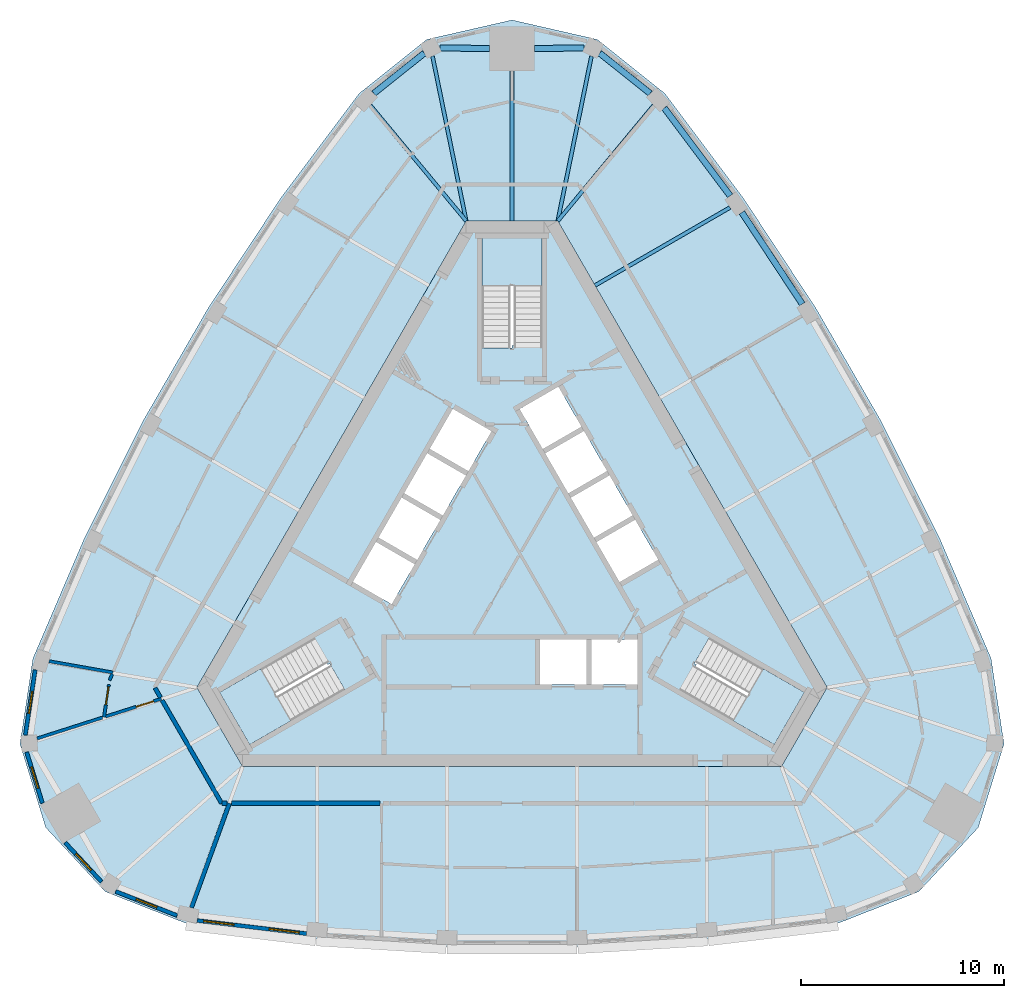
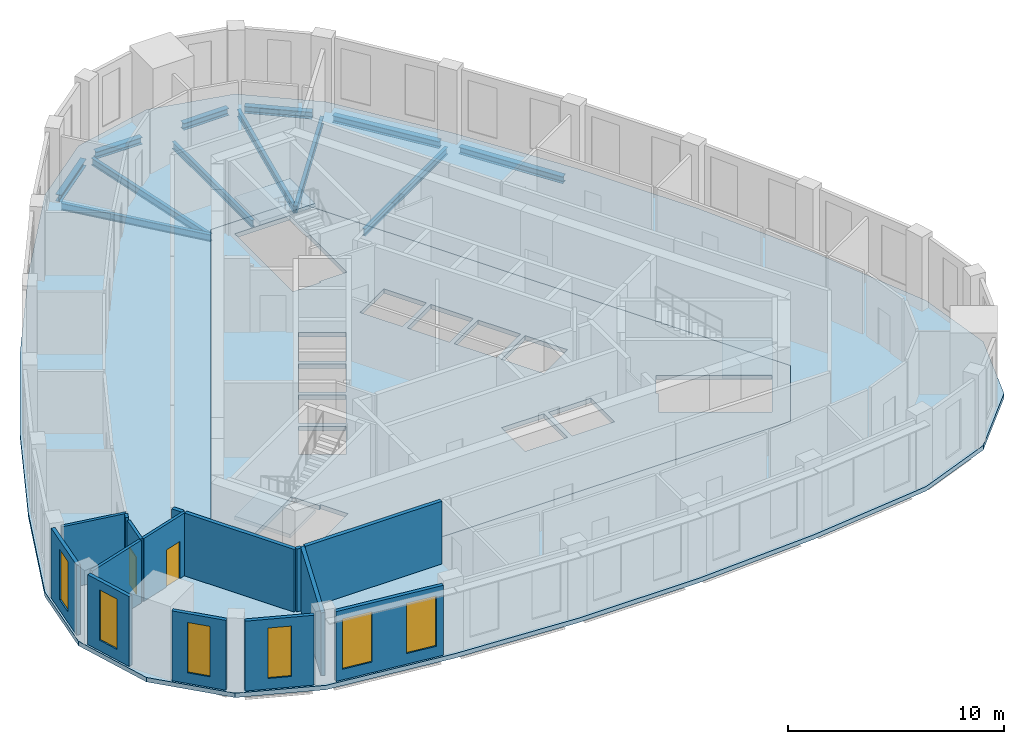
# One storey, part 2 of 10: 15 walls, 12 beams, 6 windows, 5 slabs, 2 doors, 8 openings, 3 elements without a shape of their own.
"""IFC4 building model written with IfcOpenShell, lengths in metres."""

import ifcopenshell
import ifcopenshell.guid

model = None  # the IFC model being written
_history = None  # IfcOwnerHistory: only IFC2X3 demands one
_inside = {}  # id of a spatial element -> (the spatial element, [elements in it])
_under = {}  # id of a project, library or spatial element -> (it, [spatial elements below it])
_declared = {}  # id of a project -> (the project, [libraries it declares])
_typed = {}  # id of a type object -> (the type object, [elements of that type])
_made_of = {}  # id of a material, layer set ... -> (it, [elements and type objects made of it])


def new_model(schema):
    """Start an empty IFC model of exactly this schema.

    Asked for "IFC4X3", IfcOpenShell would pick the latest addendum, in which some entities
    have other attributes; the version numbers below select the first issue.
    IFC2X3 requires an IfcOwnerHistory on every rooted entity: one is made here for all.
    """
    global model, _history
    if schema == "IFC4X3":
        model = ifcopenshell.file(schema_version=(4, 3, 0, 0))
    else:
        model = ifcopenshell.file(schema=schema)
    _inside.clear()
    _under.clear()
    _declared.clear()
    _typed.clear()
    _made_of.clear()
    _history = None
    if model.schema == "IFC2X3":
        org = make("IfcOrganization", Name="unknown")
        user = make(
            "IfcPersonAndOrganization",
            ThePerson=make("IfcPerson", FamilyName="unknown"),
            TheOrganization=org,
        )
        app = make(
            "IfcApplication",
            ApplicationDeveloper=org,
            Version="unknown",
            ApplicationFullName="unknown",
            ApplicationIdentifier="unknown",
        )
        _history = make(
            "IfcOwnerHistory",
            OwningUser=user,
            OwningApplication=app,
            ChangeAction="ADDED",
            CreationDate=0,
        )
    return model


def make(cls, **values):
    """One entity of the class cls with the attributes given. An attribute that is None is left unset."""
    return model.create_entity(
        cls, **{name: value for name, value in values.items() if value is not None}
    )


def rooted(cls, **values):
    """An entity with a GlobalId (a new one), such as an element, a storey or a relation."""
    return make(cls, GlobalId=ifcopenshell.guid.new(), OwnerHistory=_history, **values)


def si_unit(unit_type, name, prefix=None):
    """IfcSIUnit, for example si_unit("LENGTHUNIT", "METRE", prefix="MILLI")."""
    return make("IfcSIUnit", UnitType=unit_type, Prefix=prefix, Name=name)


def assignment(units):
    """IfcUnitAssignment: the units of a project."""
    return None if units is None else make("IfcUnitAssignment", Units=units)


def point(xyz):
    """IfcCartesianPoint."""
    return None if xyz is None else make("IfcCartesianPoint", Coordinates=xyz)


def direction(xyz):
    """IfcDirection."""
    return None if xyz is None else make("IfcDirection", DirectionRatios=xyz)


def frame(location, z_axis=None, x_axis=None):
    """IfcAxis2Placement3D, a coordinate frame: its origin and axes. An axis left out is left unset."""
    return make(
        "IfcAxis2Placement3D",
        Location=point(location),
        Axis=direction(z_axis),
        RefDirection=direction(x_axis),
    )


def frame_2d(location, x_axis=None):
    """IfcAxis2Placement2D, a coordinate frame in the plane: its origin and x axis."""
    return make(
        "IfcAxis2Placement2D", Location=point(location), RefDirection=direction(x_axis)
    )


def origin():
    """The frame at (0, 0, 0) with its axes left unset."""
    return frame((0.0, 0.0, 0.0))


def origin_2d():
    """The frame at (0, 0) in the plane with its x axis left unset."""
    return frame_2d((0.0, 0.0))


def place(relative_to, where):
    """IfcLocalPlacement: puts the frame where relative to a parent placement (None: the world)."""
    return make(
        "IfcLocalPlacement", PlacementRelTo=relative_to, RelativePlacement=where
    )


def context(
    kind, dimensions, precision=None, world=None, true_north=None, identifier=None
):
    """IfcGeometricRepresentationContext, for example the 3D "Model" context."""
    return make(
        "IfcGeometricRepresentationContext",
        ContextIdentifier=identifier,
        ContextType=kind,
        CoordinateSpaceDimension=dimensions,
        Precision=precision,
        WorldCoordinateSystem=world,
        TrueNorth=true_north,
    )


def subcontext(parent, identifier, kind, view, scale=None):
    """IfcGeometricRepresentationSubContext, for example "Body" below "Model"."""
    return make(
        "IfcGeometricRepresentationSubContext",
        ContextIdentifier=identifier,
        ContextType=kind,
        ParentContext=parent,
        TargetScale=scale,
        TargetView=view,
    )


def project(units=None, contexts=None):
    """IfcProject with its units and contexts."""
    return rooted(
        "IfcProject",
        Name="project",
        RepresentationContexts=contexts,
        UnitsInContext=assignment(units),
    )


def spatial(cls, under=None, at=None, **own):
    """A site, building, storey or space (cls), placed at a placement, below another one or the project."""
    s = rooted(cls, ObjectPlacement=at, **own)
    if under is not None:
        _under.setdefault(under.id(), (under, []))[1].append(s)
    return s


def polyline(points):
    """IfcPolyline through the points."""
    return make("IfcPolyline", Points=[point(p) for p in points])


def profile(cls, at=None, kind="AREA", **sizes):
    """A parametric profile (cls). Its sizes go by their IFC names, for example OverallWidth=200.0."""
    return make(cls, ProfileType=kind, Position=at, **sizes)


def rectangle(**sizes):
    """IfcRectangleProfileDef."""
    return profile("IfcRectangleProfileDef", **sizes)


def i_section(**sizes):
    """IfcIShapeProfileDef."""
    return profile("IfcIShapeProfileDef", **sizes)


def outline(outer, holes=None, kind="AREA"):
    """IfcArbitraryClosedProfileDef: a profile drawn as a closed curve; with holes, ...WithVoids."""
    if holes is None:
        return make("IfcArbitraryClosedProfileDef", ProfileType=kind, OuterCurve=outer)
    return make(
        "IfcArbitraryProfileDefWithVoids",
        ProfileType=kind,
        OuterCurve=outer,
        InnerCurves=holes,
    )


def extrude(swept, where, along, depth):
    """IfcExtrudedAreaSolid: the profile swept, set in the frame where, extruded along a direction by depth."""
    return make(
        "IfcExtrudedAreaSolid",
        SweptArea=swept,
        Position=where,
        ExtrudedDirection=direction(along),
        Depth=depth,
    )


def shape(context_of_items, identifier, shape_type, items):
    """IfcShapeRepresentation: the items that make up one representation, for example the "Body"."""
    return make(
        "IfcShapeRepresentation",
        ContextOfItems=context_of_items,
        RepresentationIdentifier=identifier,
        RepresentationType=shape_type,
        Items=items,
    )


def material(Name=None, Category=None):
    """IfcMaterial."""
    return make("IfcMaterial", Name=Name, Category=Category)


def layer(
    of_material, thickness, ventilated=None, Name=None, Category=None, Priority=None
):
    """IfcMaterialLayer: one layer of a wall or slab, of a material (None: an air gap)."""
    return make(
        "IfcMaterialLayer",
        Material=of_material,
        LayerThickness=thickness,
        IsVentilated=ventilated,
        Name=Name,
        Category=Category,
        Priority=Priority,
    )


def layer_set(layers, Name=None):
    """IfcMaterialLayerSet."""
    return make("IfcMaterialLayerSet", MaterialLayers=layers, LayerSetName=Name)


def material_profile(
    of_material, cross_section, Name=None, Category=None, Priority=None
):
    """IfcMaterialProfile: a cross section and its material."""
    return make(
        "IfcMaterialProfile",
        Name=Name,
        Material=of_material,
        Profile=cross_section,
        Priority=Priority,
        Category=Category,
    )


def profile_set(profiles, Name=None, composite=None):
    """IfcMaterialProfileSet."""
    return make(
        "IfcMaterialProfileSet",
        Name=Name,
        MaterialProfiles=profiles,
        CompositeProfile=composite,
    )


def made_of(thing, what):
    """Note that an element or type object is made of a material, layer set ...; save() writes the relation."""
    if what is not None:
        _made_of.setdefault(what.id(), (what, []))[1].append(thing)
    return thing


def type_object(cls, material=None, **own):
    """A type object (cls), such as IfcWallType, which elements share."""
    return made_of(rooted(cls, **own), material)


def element(
    cls,
    number,
    at=None,
    inside=None,
    cuts=None,
    type_object=None,
    material=None,
    context=None,
    identifier="Body",
    shape_type=None,
    held_by="IfcProductDefinitionShape",
    body=None,
    shapes=None,
    **own,
):
    """One element of the class cls, such as IfcWall. Its Tag is "e" and its number.

    at: its placement. inside: the storey or other place that contains it. cuts: it is an
    opening in that element (IfcRelVoidsElement). A single representation is given by context,
    identifier, shape_type and body (its items); several are given by shapes. held_by: the class
    of the entity that holds the representations. save() writes the other relations.
    """
    e = rooted(cls, Tag="e%d" % number, ObjectPlacement=at, **own)
    if body is not None:
        shapes = [shape(context, identifier, shape_type, body)]
    if shapes is not None:
        e.Representation = make(held_by, Representations=shapes)
    if inside is not None:
        _inside.setdefault(inside.id(), (inside, []))[1].append(e)
    if cuts is not None:
        rooted(
            "IfcRelVoidsElement", RelatingBuildingElement=cuts, RelatedOpeningElement=e
        )
    if type_object is not None:
        _typed.setdefault(type_object.id(), (type_object, []))[1].append(e)
    return made_of(e, material)


def fill(opening, filler):
    """IfcRelFillsElement: the door or window that sits in an opening."""
    return rooted(
        "IfcRelFillsElement",
        RelatingOpeningElement=opening,
        RelatedBuildingElement=filler,
    )


def aggregate(whole, parts):
    """IfcRelAggregates: a whole, such as a stair, and the parts it consists of."""
    return rooted("IfcRelAggregates", RelatingObject=whole, RelatedObjects=parts)


def save(model, path):
    """Write the relations noted so far, then the file.

    IfcRelAggregates (storeys below a building ...), IfcRelContainedInSpatialStructure (elements
    in a storey), IfcRelDefinesByType, IfcRelAssociatesMaterial and IfcRelDeclares: one each for
    every whole, place, type object, material and project.
    """
    for whole, parts in _under.values():
        aggregate(whole, parts)
    for where, things in _inside.values():
        rooted(
            "IfcRelContainedInSpatialStructure",
            RelatedElements=things,
            RelatingStructure=where,
        )
    for kind, things in _typed.values():
        rooted("IfcRelDefinesByType", RelatedObjects=things, RelatingType=kind)
    for what, things in _made_of.values():
        rooted("IfcRelAssociatesMaterial", RelatedObjects=things, RelatingMaterial=what)
    for by, libraries in _declared.values():
        rooted("IfcRelDeclares", RelatingContext=by, RelatedDefinitions=libraries)
    model.write(path)


model = new_model("IFC4")

# Units and contexts
model_context = context("Model", 3, precision=1e-05, world=origin(), true_north=direction((0.0, 1.0)))
body_context = subcontext(model_context, "Body", "Model", "MODEL_VIEW")
ifc_project = project(units=[si_unit("LENGTHUNIT", "METRE"), si_unit("AREAUNIT", "SQUARE_METRE"), si_unit("VOLUMEUNIT", "CUBIC_METRE"), si_unit("PLANEANGLEUNIT", "RADIAN"), si_unit("MASSUNIT", "GRAM", prefix="KILO")], contexts=[model_context])

# Site, building, storey
site_placement = place(None, origin())
site = spatial("IfcSite", under=ifc_project, at=site_placement, CompositionType="ELEMENT")
building_placement = place(site_placement, origin())
building = spatial("IfcBuilding", under=site, at=building_placement, Name="Mestral Congress Tower", CompositionType="ELEMENT")
storey_placement = place(building_placement, frame((0.0, 0.0, 279.60009765625)))
storey = spatial("IfcBuildingStorey", under=building, at=storey_placement, Name="L65", CompositionType="ELEMENT", Elevation=279.60009765625)

# Beams
ifc_material_1 = material(Name="Steel S355", Category="steel")
ifc_material_profile_1 = material_profile(ifc_material_1, i_section(OverallWidth=0.179931640625, OverallDepth=0.39990234375, WebThickness=0.008544921875, FlangeThickness=0.013427734375, FilletRadius=0.02099609375, at=origin_2d()), Name="IPE 400")
ifc_profile_set_1 = profile_set([ifc_material_profile_1], Name="Steel S355")
beam_type_1 = type_object("IfcBeamType", Name="Floor beam IPE 400 S355", PredefinedType="BEAM", material=ifc_profile_set_1)
beam_1_placement = place(storey_placement, frame((10.7275390625, 17.263916015625, -0.4501953125), z_axis=(-0.866019720907, -0.500009842903, 0.0), x_axis=(0.500009842903, -0.866019720907, 0.0)))
element("IfcBeam", 1, at=beam_1_placement, inside=storey, type_object=beam_type_1, Name="BM-L65-RB5-E04", PredefinedType="BEAM", context=body_context, shape_type="SweptSolid", body=[
    extrude(i_section(OverallWidth=0.179931640625, OverallDepth=0.39990234375, WebThickness=0.008544921875, FlangeThickness=0.013427734375, FilletRadius=0.02099609375, at=origin_2d()), origin(), (0.0, 0.0, 1.0), 7.672119140625),
])
beam_2_placement = place(storey_placement, frame((6.969970703125, 22.2890625, -0.4501953125), z_axis=(-0.638382651591, -0.769719163168, 0.0), x_axis=(0.769719163168, -0.638382651591, 0.0)))
element("IfcBeam", 2, at=beam_2_placement, inside=storey, type_object=beam_type_1, Name="BM-L65-RB5-E05", PredefinedType="BEAM", context=body_context, shape_type="SweptSolid", body=[
    extrude(i_section(OverallWidth=0.179931640625, OverallDepth=0.39990234375, WebThickness=0.008544921875, FlangeThickness=0.013427734375, FilletRadius=0.02099609375, at=origin_2d()), origin(), (0.0, 0.0, 1.0), 7.390869140625),
])
beam_3_placement = place(storey_placement, frame((3.910888671875, 24.7119140625, -0.4501953125), z_axis=(-0.200389803804, -0.979716247967, 0.0), x_axis=(0.979716247967, -0.200389803804, 0.0)))
element("IfcBeam", 3, at=beam_3_placement, inside=storey, type_object=beam_type_1, Name="BM-L65-RB5-N1", PredefinedType="BEAM", context=body_context, shape_type="SweptSolid", body=[
    extrude(i_section(OverallWidth=0.179931640625, OverallDepth=0.39990234375, WebThickness=0.008544921875, FlangeThickness=0.013427734375, FilletRadius=0.02099609375, at=origin_2d()), origin(), (0.0, 0.0, 1.0), 8.27978515625),
])
beam_4_placement = place(storey_placement, frame((0.0, 23.97802734375, -0.4501953125), z_axis=(0.0, -1.0, 0.0), x_axis=(1.0, 0.0, 0.0)))
element("IfcBeam", 4, at=beam_4_placement, inside=storey, type_object=beam_type_1, Name="BM-L65-RB5-N", PredefinedType="BEAM", context=body_context, shape_type="SweptSolid", body=[
    extrude(i_section(OverallWidth=0.179931640625, OverallDepth=0.39990234375, WebThickness=0.008544921875, FlangeThickness=0.013427734375, FilletRadius=0.02099609375, at=origin_2d()), origin(), (0.0, 0.0, 1.0), 7.3779296875),
])
beam_5_placement = place(storey_placement, frame((-3.910888671875, 24.7119140625, -0.4501953125), z_axis=(0.200389803804, -0.979716247967, 0.0), x_axis=(0.979716247967, 0.200389803804, 0.0)))
element("IfcBeam", 5, at=beam_5_placement, inside=storey, type_object=beam_type_1, Name="BM-L65-RB5-N3", PredefinedType="BEAM", context=body_context, shape_type="SweptSolid", body=[
    extrude(i_section(OverallWidth=0.179931640625, OverallDepth=0.39990234375, WebThickness=0.008544921875, FlangeThickness=0.013427734375, FilletRadius=0.02099609375, at=origin_2d()), origin(), (0.0, 0.0, 1.0), 8.27978515625),
])
beam_6_placement = place(storey_placement, frame((-6.969970703125, 22.2890625, -0.4501953125), z_axis=(0.638382651591, -0.769719163168, 0.0), x_axis=(0.769719163168, 0.638382651591, 0.0)))
element("IfcBeam", 6, at=beam_6_placement, inside=storey, type_object=beam_type_1, Name="BM-L65-RB5-W00", PredefinedType="BEAM", context=body_context, shape_type="SweptSolid", body=[
    extrude(i_section(OverallWidth=0.179931640625, OverallDepth=0.39990234375, WebThickness=0.008544921875, FlangeThickness=0.013427734375, FilletRadius=0.02099609375, at=origin_2d()), origin(), (0.0, 0.0, 1.0), 7.390869140625),
])
ifc_material_profile_2 = material_profile(ifc_material_1, i_section(OverallWidth=0.300048828125, OverallDepth=0.389892578125, WebThickness=0.010986328125, FlangeThickness=0.01904296875, FilletRadius=0.027099609375, at=origin_2d()), Name="HEA 400")
ifc_profile_set_2 = profile_set([ifc_material_profile_2], Name="Steel S355")
beam_type_2 = type_object("IfcBeamType", Name="Spandrel beam HEA 400 S355", PredefinedType="BEAM", material=ifc_profile_set_2)
beam_7_placement = place(storey_placement, frame((14.280517578125, 12.51611328125, -0.445068359375), z_axis=(-0.550748957655, 0.83467094453, 0.0), x_axis=(-0.83467094453, -0.550748957655, 0.0)))
element("IfcBeam", 7, at=beam_7_placement, inside=storey, type_object=beam_type_2, Name="SP-L65-SB5-E03", PredefinedType="BEAM", context=body_context, shape_type="SweptSolid", body=[
    extrude(i_section(OverallWidth=0.300048828125, OverallDepth=0.389892578125, WebThickness=0.010986328125, FlangeThickness=0.01904296875, FilletRadius=0.027099609375, at=origin_2d()), origin(), (0.0, 0.0, 1.0), 5.3984375),
])
beam_8_placement = place(storey_placement, frame((10.73193359375, 17.83984375, -0.445068359375), z_axis=(-0.599529393236, 0.800352738888, 0.0), x_axis=(-0.800352738888, -0.599529393236, 0.0)))
element("IfcBeam", 8, at=beam_8_placement, inside=storey, type_object=beam_type_2, Name="SP-L65-SB5-E04", PredefinedType="BEAM", context=body_context, shape_type="SweptSolid", body=[
    extrude(i_section(OverallWidth=0.300048828125, OverallDepth=0.389892578125, WebThickness=0.010986328125, FlangeThickness=0.01904296875, FilletRadius=0.027099609375, at=origin_2d()), origin(), (0.0, 0.0, 1.0), 5.396484375),
])
beam_9_placement = place(storey_placement, frame((6.7998046875, 22.876708984375, -0.445068359375), z_axis=(-0.781647188603, 0.623720829016, 0.0), x_axis=(-0.623720829016, -0.781647188603, 0.0)))
element("IfcBeam", 9, at=beam_9_placement, inside=storey, type_object=beam_type_2, Name="SP-L65-SB5-E05", PredefinedType="BEAM", context=body_context, shape_type="SweptSolid", body=[
    extrude(i_section(OverallWidth=0.300048828125, OverallDepth=0.389892578125, WebThickness=0.010986328125, FlangeThickness=0.01904296875, FilletRadius=0.027099609375, at=origin_2d()), origin(), (0.0, 0.0, 1.0), 3.179931640625),
])
for number, where, z_axis, x_axis, name in (
    (10, (3.54736328125, 25.11181640625, -0.445068359375), (-0.999955093848, -0.009476829002, 0.0), (0.009476829002, -0.999955093848, 0.0), "SP-L65-SB5-N1"),
    (11, (-1.10009765625, 25.088623046875, -0.445068359375), (-0.999955093848, 0.009476829002, 0.0), (-0.009476829002, -0.999955093848, 0.0), "SP-L65-SB5-N"),
):
    element("IfcBeam", number, at=place(storey_placement, frame(where, z_axis=z_axis, x_axis=x_axis)), inside=storey, type_object=beam_type_2, Name=name, PredefinedType="BEAM", context=body_context, shape_type="SweptSolid", body=[
        extrude(i_section(OverallWidth=0.300048828125, OverallDepth=0.389892578125, WebThickness=0.010986328125, FlangeThickness=0.01904296875, FilletRadius=0.027099609375, at=origin_2d()), origin(), (0.0, 0.0, 1.0), 2.447265625),
    ])
beam_10_placement = place(storey_placement, frame((-4.314208984375, 24.860107421875, -0.445068359375), z_axis=(-0.781647188603, -0.623720829016, 0.0), x_axis=(0.623720829016, -0.781647188603, 0.0)))
element("IfcBeam", 12, at=beam_10_placement, inside=storey, type_object=beam_type_2, Name="SP-L65-SB5-N3", PredefinedType="BEAM", context=body_context, shape_type="SweptSolid", body=[
    extrude(i_section(OverallWidth=0.300048828125, OverallDepth=0.389892578125, WebThickness=0.010986328125, FlangeThickness=0.01904296875, FilletRadius=0.027099609375, at=origin_2d()), origin(), (0.0, 0.0, 1.0), 3.179931640625),
])

# Slabs
ifc_material_2 = material(Name="Concrete C35/45", Category="concrete")
ifc_layer_1 = layer(ifc_material_2, 0.25)
ifc_layer_set_1 = layer_set([ifc_layer_1], Name="Concrete C35/45")
slab_type_1 = type_object("IfcSlabType", Name="Composite floor slab 250", PredefinedType="FLOOR", material=ifc_layer_set_1)
placement_1 = place(storey_placement, frame((0.0, 0.0, -0.25)))
element("IfcSlab", 13, at=placement_1, inside=storey, type_object=slab_type_1, Name="SL-L65", PredefinedType="FLOOR", context=body_context, shape_type="SweptSolid", body=[
    extrude(outline(polyline([(-16.051513671875, -17.951904296875), (-20.014404296875, -16.39794921875), (-22.940673828125, -13.244873046875), (-24.208251953125, -9.1337890625), (-23.572509765625, -4.925048828125), (-21.027587890625, 1.0234375), (-18.152099609375, 6.77001953125), (-14.939208984375, 12.335205078125), (-11.400146484375, 17.698486328125), (-7.52099609375, 22.876953125), (-4.19384765625, 25.531982421875), (0.0, 26.48974609375), (4.19384765625, 25.531982421875), (7.52099609375, 22.876953125), (11.400146484375, 17.698486328125), (14.939208984375, 12.335205078125), (18.152099609375, 6.77001953125), (21.027587890625, 1.0234375), (23.572509765625, -4.925048828125), (24.208251953125, -9.1337890625), (22.940673828125, -13.244873046875), (20.014404296875, -16.39794921875), (16.051513671875, -17.951904296875), (9.62744140625, -18.72216796875), (3.212890625, -19.105224609375), (-3.212890625, -19.105224609375), (-9.62744140625, -18.72216796875), (-16.051513671875, -17.951904296875)]), holes=[polyline([(-2.251708984375, 16.60009765625), (-15.501953125, -6.35009765625), (-13.250244140625, -10.25), (13.250244140625, -10.25), (15.501953125, -6.35009765625), (2.251708984375, 16.60009765625), (-2.251708984375, 16.60009765625)])]), origin(), (0.0, 0.0, 1.0), 0.25),
])
ifc_material_3 = material(Name="Concrete C60/75", Category="concrete")
ifc_layer_2 = layer(ifc_material_3, 0.25)
ifc_layer_set_2 = layer_set([ifc_layer_2], Name="Concrete C60/75")
slab_type_2 = type_object("IfcSlabType", Name="Core floor slab RC 250", PredefinedType="FLOOR", material=ifc_layer_set_2)
element("IfcSlab", 14, at=placement_1, inside=storey, type_object=slab_type_2, Name="L65 core floor", PredefinedType="FLOOR", context=body_context, shape_type="SweptSolid", body=[
    extrude(outline(polyline([(13.250244140625, -10.25), (-13.250244140625, -10.25), (-15.501953125, -6.35009765625), (-2.251708984375, 16.60009765625), (2.251708984375, 16.60009765625), (15.501953125, -6.35009765625), (13.250244140625, -10.25)]), holes=[polyline([(-14.37744140625, -6.59765625), (-12.90234375, -9.15234375), (-8.234619140625, -6.45751953125), (-8.971923828125, -5.179931640625), (-9.0673828125, -5.235107421875), (-9.8046875, -3.95751953125), (-14.37744140625, -6.59765625)]), polyline([(-5.921630859375, -2.256591796875), (-4.78662109375, -0.29052734375), (-6.69189453125, 0.809326171875), (-7.826904296875, -1.156494140625), (-5.921630859375, -2.256591796875)]), polyline([(-4.66162109375, -0.07421875), (-3.526611328125, 1.8916015625), (-5.431884765625, 2.99169921875), (-6.56689453125, 1.02587890625), (-4.66162109375, -0.07421875)]), polyline([(-2.2666015625, 4.07421875), (-4.171875, 5.174072265625), (-5.306884765625, 3.208251953125), (-3.401611328125, 2.1083984375), (-2.2666015625, 4.07421875)]), polyline([(-2.1416015625, 4.29052734375), (-1.006591796875, 6.256591796875), (-2.911865234375, 7.3564453125), (-4.046875, 5.390625), (-2.1416015625, 4.29052734375)]), polyline([(0.376708984375, 7.34765625), (1.51171875, 5.3818359375), (3.4169921875, 6.481689453125), (2.281982421875, 8.44775390625), (0.376708984375, 7.34765625)]), polyline([(1.47509765625, 15.75), (-1.47509765625, 15.75), (-1.47509765625, 10.360107421875), (0.0, 10.360107421875), (0.0, 10.469970703125), (1.47509765625, 10.469970703125), (1.47509765625, 15.75)]), polyline([(8.329833984375, -6.512451171875), (12.90234375, -9.15234375), (14.37744140625, -6.59765625), (9.70947265625, -3.902587890625), (8.971923828125, -5.179931640625), (9.0673828125, -5.235107421875), (8.329833984375, -6.512451171875)]), polyline([(3.655029296875, -4.0), (1.385009765625, -4.0), (1.385009765625, -6.199951171875), (3.655029296875, -6.199951171875), (3.655029296875, -4.0)]), polyline([(6.175048828125, -4.0), (3.905029296875, -4.0), (3.905029296875, -6.199951171875), (6.175048828125, -6.199951171875), (6.175048828125, -4.0)]), polyline([(4.156494140625, 0.800537109375), (5.29150390625, -1.165283203125), (7.197021484375, -0.065185546875), (6.06201171875, 1.900634765625), (4.156494140625, 0.800537109375)]), polyline([(2.896484375, 2.98291015625), (4.031494140625, 1.01708984375), (5.93701171875, 2.1171875), (4.802001953125, 4.0830078125), (2.896484375, 2.98291015625)]), polyline([(1.63671875, 5.165283203125), (2.771484375, 3.199462890625), (4.677001953125, 4.29931640625), (3.5419921875, 6.265380859375), (1.63671875, 5.165283203125)])]), origin(), (0.0, 0.0, 1.0), 0.25),
])

# Stair, slab
stair_type = type_object("IfcStairType", Name="Exit stair 1400", PredefinedType="HALF_TURN_STAIR", material=ifc_material_3)
placement_2 = place(storey_placement, origin())
stair_1 = element("IfcStair", 15, at=placement_2, inside=storey, type_object=stair_type, Name="L65 ST1", PredefinedType="HALF_TURN_STAIR")
ifc_layer_3 = layer(ifc_material_3, 0.199951171875)
ifc_layer_set_3 = layer_set([ifc_layer_3], Name="Concrete C60/75")
slab_type_3 = type_object("IfcSlabType", Name="Exit stair landing 200", PredefinedType="LANDING", material=ifc_layer_set_3)
placement_3 = place(storey_placement, frame((0.0, 0.0, 1.89990234375)))
slab_3 = element("IfcSlab", 16, at=placement_3, type_object=slab_type_3, Name="ST1 landing 1", PredefinedType="LANDING", context=body_context, shape_type="SweptSolid", body=[
    extrude(outline(polyline([(10.879638671875, -7.99609375), (12.364501953125, -5.424072265625), (14.39111328125, -6.593994140625), (12.906005859375, -9.166015625), (10.879638671875, -7.99609375)])), origin(), (0.0, 0.0, 1.0), 0.199951171875),
])
aggregate(stair_1, [slab_3])

stair_2 = element("IfcStair", 17, at=placement_2, inside=storey, type_object=stair_type, Name="L65 ST2", PredefinedType="HALF_TURN_STAIR")
slab_4 = element("IfcSlab", 18, at=placement_3, type_object=slab_type_3, Name="ST2 landing 1", PredefinedType="LANDING", context=body_context, shape_type="SweptSolid", body=[
    extrude(outline(polyline([(1.485107421875, 13.419921875), (-1.485107421875, 13.419921875), (-1.485107421875, 15.760009765625), (1.485107421875, 15.760009765625), (1.485107421875, 13.419921875)])), origin(), (0.0, 0.0, 1.0), 0.199951171875),
])
aggregate(stair_2, [slab_4])

stair_3 = element("IfcStair", 19, at=placement_2, inside=storey, type_object=stair_type, Name="L65 ST3", PredefinedType="HALF_TURN_STAIR")
slab_5 = element("IfcSlab", 20, at=placement_3, type_object=slab_type_3, Name="ST3 landing 1", PredefinedType="LANDING", context=body_context, shape_type="SweptSolid", body=[
    extrude(outline(polyline([(-12.364501953125, -5.424072265625), (-10.879638671875, -7.99609375), (-12.906005859375, -9.166015625), (-14.39111328125, -6.593994140625), (-12.364501953125, -5.424072265625)])), origin(), (0.0, 0.0, 1.0), 0.199951171875),
])
aggregate(stair_3, [slab_5])

# Wall, openings, windows
ifc_material_4 = material(Name="Precast concrete C40/50 with limestone facing", Category="masonry")
ifc_layer_4 = layer(ifc_material_4, 0.18994140625)
ifc_layer_set_4 = layer_set([ifc_layer_4], Name="Precast concrete C40/50 with limestone facing")
wall_type_1 = type_object("IfcWallType", Name="Facade stone wall 190", PredefinedType="SOLIDWALL", material=ifc_layer_set_4)
wall_1_placement = place(storey_placement, frame((-15.487060546875, -17.822998046875, 0.0), z_axis=(0.0, 0.0, 1.0), x_axis=(0.992885582795, -0.119072328769, 0.0)))
wall_1 = element("IfcWall", 21, at=wall_1_placement, inside=storey, type_object=wall_type_1, Name="Facade wall F0-00", PredefinedType="SOLIDWALL", context=body_context, shape_type="SweptSolid", body=[
    extrude(rectangle(XDim=5.4150390625, YDim=0.18994140625, at=frame_2d((2.70751953125, 0.0))), origin(), (0.0, 0.0, 1.0), 3.949951171875),
])
opening_1_placement = place(wall_1_placement, frame((0.322509765625, 0.0, 0.60009765625)))
opening_1 = element("IfcOpeningElement", 22, at=opening_1_placement, cuts=wall_1, Name="Opening W6", PredefinedType="OPENING", context=body_context, shape_type="SweptSolid", body=[
    extrude(rectangle(XDim=1.5, YDim=2.85009765625, at=frame_2d((0.75, 1.425048828125))), frame((0.0, 0.10498046875, 0.0), z_axis=(0.0, -1.0, 0.0), x_axis=(1.0, 0.0, 0.0)), (0.0, 0.0, 1.0), 0.2099609375),
])
opening_2_placement = place(wall_1_placement, frame((3.5576171875, 0.0, 0.60009765625)))
opening_2 = element("IfcOpeningElement", 23, at=opening_2_placement, cuts=wall_1, Name="Opening W6", PredefinedType="OPENING", context=body_context, shape_type="SweptSolid", body=[
    extrude(rectangle(XDim=1.5, YDim=2.85009765625, at=frame_2d((0.75, 1.425048828125))), frame((0.0, 0.10498046875, 0.0), z_axis=(0.0, -1.0, 0.0), x_axis=(1.0, 0.0, 0.0)), (0.0, 0.0, 1.0), 0.2099609375),
])
ifc_material_5 = material(Name="Clear low-emissivity double glazing", Category="glass")
window_type_1 = type_object("IfcWindowType", Name="Facade punched window 1500 x 2850 sill 600", PartitioningType="SINGLE_PANEL", PredefinedType="WINDOW", material=ifc_material_5)
window_1_placement = place(opening_1_placement, origin())
window_1 = element("IfcWindow", 24, at=window_1_placement, inside=storey, type_object=window_type_1, Name="Window F0-00a", OverallHeight=2.85009765625, OverallWidth=1.5, PartitioningType="SINGLE_PANEL", PredefinedType="WINDOW", context=body_context, shape_type="SweptSolid", body=[
    extrude(rectangle(XDim=1.5, YDim=2.85009765625, at=frame_2d((0.75, 1.425048828125))), frame((0.0, 0.044921875, 0.0), z_axis=(0.0, -1.0, 0.0), x_axis=(1.0, 0.0, 0.0)), (0.0, 0.0, 1.0), 0.06005859375),
])
fill(opening_1, window_1)
window_2_placement = place(opening_2_placement, origin())
window_2 = element("IfcWindow", 25, at=window_2_placement, inside=storey, type_object=window_type_1, Name="Window F0-00b", OverallHeight=2.85009765625, OverallWidth=1.5, PartitioningType="SINGLE_PANEL", PredefinedType="WINDOW", context=body_context, shape_type="SweptSolid", body=[
    extrude(rectangle(XDim=1.5, YDim=2.85009765625, at=frame_2d((0.75, 1.425048828125))), frame((0.0, 0.044921875, 0.0), z_axis=(0.0, -1.0, 0.0), x_axis=(1.0, 0.0, 0.0)), (0.0, 0.0, 1.0), 0.06005859375),
])
fill(opening_2, window_2)

# Wall, opening, window
wall_2_placement = place(storey_placement, frame((-23.460205078125, -5.488037109375, 0.0), z_axis=(0.0, 0.0, 1.0), x_axis=(-0.149421055602, -0.988773658702, 0.0)))
wall_2 = element("IfcWall", 26, at=wall_2_placement, inside=storey, type_object=wall_type_1, Name="Facade wall K2-0", PredefinedType="SOLIDWALL", context=body_context, shape_type="SweptSolid", body=[
    extrude(rectangle(XDim=3.23681640625, YDim=0.18994140625, at=frame_2d((1.618408203125, 0.0))), origin(), (0.0, 0.0, 1.0), 3.949951171875),
])
opening_3_placement = place(wall_2_placement, frame((1.068359375, 0.0, 0.60009765625)))
opening_3 = element("IfcOpeningElement", 27, at=opening_3_placement, cuts=wall_2, Name="Opening W7", PredefinedType="OPENING", context=body_context, shape_type="SweptSolid", body=[
    extrude(rectangle(XDim=1.10009765625, YDim=2.85009765625, at=frame_2d((0.550048828125, 1.425048828125))), frame((0.0, 0.10498046875, 0.0), z_axis=(0.0, -1.0, 0.0), x_axis=(1.0, 0.0, 0.0)), (0.0, 0.0, 1.0), 0.2099609375),
])
window_type_2 = type_object("IfcWindowType", Name="Facade punched window 1100 x 2850 sill 600", PartitioningType="SINGLE_PANEL", PredefinedType="WINDOW", material=ifc_material_5)
window_3_placement = place(opening_3_placement, origin())
window_3 = element("IfcWindow", 28, at=window_3_placement, inside=storey, type_object=window_type_2, Name="Window K2-0", OverallHeight=2.85009765625, OverallWidth=1.10009765625, PartitioningType="SINGLE_PANEL", PredefinedType="WINDOW", context=body_context, shape_type="SweptSolid", body=[
    extrude(rectangle(XDim=1.10009765625, YDim=2.85009765625, at=frame_2d((0.550048828125, 1.425048828125))), frame((0.0, 0.044921875, 0.0), z_axis=(0.0, -1.0, 0.0), x_axis=(1.0, 0.0, 0.0)), (0.0, 0.0, 1.0), 0.06005859375),
])
fill(opening_3, window_3)

wall_3_placement = place(storey_placement, frame((-23.880615234375, -9.53515625, 0.0), z_axis=(0.0, 0.0, 1.0), x_axis=(0.294706210429, -0.9555879078, 0.0)))
wall_3 = element("IfcWall", 29, at=wall_3_placement, inside=storey, type_object=wall_type_1, Name="Facade wall K2-1", PredefinedType="SOLIDWALL", context=body_context, shape_type="SweptSolid", body=[
    extrude(rectangle(XDim=2.626953125, YDim=0.18994140625, at=frame_2d((1.3134765625, 0.0))), origin(), (0.0, 0.0, 1.0), 3.949951171875),
])
opening_4_placement = place(wall_3_placement, frame((0.763427734375, 0.0, 0.60009765625)))
opening_4 = element("IfcOpeningElement", 30, at=opening_4_placement, cuts=wall_3, Name="Opening W7", PredefinedType="OPENING", context=body_context, shape_type="SweptSolid", body=[
    extrude(rectangle(XDim=1.10009765625, YDim=2.85009765625, at=frame_2d((0.550048828125, 1.425048828125))), frame((0.0, 0.10498046875, 0.0), z_axis=(0.0, -1.0, 0.0), x_axis=(1.0, 0.0, 0.0)), (0.0, 0.0, 1.0), 0.2099609375),
])
window_4_placement = place(opening_4_placement, origin())
window_4 = element("IfcWindow", 31, at=window_4_placement, inside=storey, type_object=window_type_2, Name="Window K2-1", OverallHeight=2.85009765625, OverallWidth=1.10009765625, PartitioningType="SINGLE_PANEL", PredefinedType="WINDOW", context=body_context, shape_type="SweptSolid", body=[
    extrude(rectangle(XDim=1.10009765625, YDim=2.85009765625, at=frame_2d((0.550048828125, 1.425048828125))), frame((0.0, 0.044921875, 0.0), z_axis=(0.0, -1.0, 0.0), x_axis=(1.0, 0.0, 0.0)), (0.0, 0.0, 1.0), 0.06005859375),
])
fill(opening_4, window_4)

wall_4_placement = place(storey_placement, frame((-21.98486328125, -13.988037109375, 0.0), z_axis=(0.0, 0.0, 1.0), x_axis=(0.680219354823, -0.733008614768, 0.0)))
wall_4 = element("IfcWall", 32, at=wall_4_placement, inside=storey, type_object=wall_type_1, Name="Facade wall K2-2", PredefinedType="SOLIDWALL", context=body_context, shape_type="SweptSolid", body=[
    extrude(rectangle(XDim=2.626953125, YDim=0.18994140625, at=frame_2d((1.3134765625, 0.0))), origin(), (0.0, 0.0, 1.0), 3.949951171875),
])
opening_5_placement = place(wall_4_placement, frame((0.763427734375, 0.0, 0.60009765625)))
opening_5 = element("IfcOpeningElement", 33, at=opening_5_placement, cuts=wall_4, Name="Opening W7", PredefinedType="OPENING", context=body_context, shape_type="SweptSolid", body=[
    extrude(rectangle(XDim=1.10009765625, YDim=2.85009765625, at=frame_2d((0.550048828125, 1.425048828125))), frame((0.0, 0.10498046875, 0.0), z_axis=(0.0, -1.0, 0.0), x_axis=(1.0, 0.0, 0.0)), (0.0, 0.0, 1.0), 0.2099609375),
])
window_5_placement = place(opening_5_placement, origin())
window_5 = element("IfcWindow", 34, at=window_5_placement, inside=storey, type_object=window_type_2, Name="Window K2-2", OverallHeight=2.85009765625, OverallWidth=1.10009765625, PartitioningType="SINGLE_PANEL", PredefinedType="WINDOW", context=body_context, shape_type="SweptSolid", body=[
    extrude(rectangle(XDim=1.10009765625, YDim=2.85009765625, at=frame_2d((0.550048828125, 1.425048828125))), frame((0.0, 0.044921875, 0.0), z_axis=(0.0, -1.0, 0.0), x_axis=(1.0, 0.0, 0.0)), (0.0, 0.0, 1.0), 0.06005859375),
])
fill(opening_5, window_5)

wall_5_placement = place(storey_placement, frame((-19.496337890625, -16.3916015625, 0.0), z_axis=(0.0, 0.0, 1.0), x_axis=(0.93100888477, -0.364996515709, 0.0)))
wall_5 = element("IfcWall", 35, at=wall_5_placement, inside=storey, type_object=wall_type_1, Name="Facade wall K2-3", PredefinedType="SOLIDWALL", context=body_context, shape_type="SweptSolid", body=[
    extrude(rectangle(XDim=3.23681640625, YDim=0.18994140625, at=frame_2d((1.618408203125, 0.0))), origin(), (0.0, 0.0, 1.0), 3.949951171875),
])
opening_6_placement = place(wall_5_placement, frame((1.068359375, 0.0, 0.60009765625)))
opening_6 = element("IfcOpeningElement", 36, at=opening_6_placement, cuts=wall_5, Name="Opening W7", PredefinedType="OPENING", context=body_context, shape_type="SweptSolid", body=[
    extrude(rectangle(XDim=1.10009765625, YDim=2.85009765625, at=frame_2d((0.550048828125, 1.425048828125))), frame((0.0, 0.10498046875, 0.0), z_axis=(0.0, -1.0, 0.0), x_axis=(1.0, 0.0, 0.0)), (0.0, 0.0, 1.0), 0.2099609375),
])
window_6_placement = place(opening_6_placement, origin())
window_6 = element("IfcWindow", 37, at=window_6_placement, inside=storey, type_object=window_type_2, Name="Window K2-3", OverallHeight=2.85009765625, OverallWidth=1.10009765625, PartitioningType="SINGLE_PANEL", PredefinedType="WINDOW", context=body_context, shape_type="SweptSolid", body=[
    extrude(rectangle(XDim=1.10009765625, YDim=2.85009765625, at=frame_2d((0.550048828125, 1.425048828125))), frame((0.0, 0.044921875, 0.0), z_axis=(0.0, -1.0, 0.0), x_axis=(1.0, 0.0, 0.0)), (0.0, 0.0, 1.0), 0.06005859375),
])
fill(opening_6, window_6)

# Walls
ifc_material_6 = material(Name="Plasterboard partition on steel studs", Category="steel")
ifc_layer_5 = layer(ifc_material_6, 0.14990234375)
ifc_layer_set_5 = layer_set([ifc_layer_5], Name="Plasterboard partition on steel studs")
wall_type_2 = type_object("IfcWallType", Name="Office partition 150", PredefinedType="PARTITIONING", material=ifc_layer_set_5)
wall_6_placement = place(storey_placement, frame((-19.638671875, -5.61962890625, 0.0), z_axis=(0.0, 0.0, 1.0), x_axis=(-0.984765028635, 0.173890305586, 0.0)))
element("IfcWall", 38, at=wall_6_placement, inside=storey, type_object=wall_type_2, Name="Partition", PredefinedType="PARTITIONING", context=body_context, shape_type="SweptSolid", body=[
    extrude(rectangle(XDim=3.184326171875, YDim=0.14990234375, at=frame_2d((1.59228515625, 0.0))), origin(), (0.0, 0.0, 1.0), 3.5498046875),
])
wall_7_placement = place(storey_placement, frame((-19.668701171875, -5.6904296875, 0.0), z_axis=(0.0, 0.0, 1.0), x_axis=(-0.393566769146, -0.919296034052, 0.0)))
element("IfcWall", 39, at=wall_7_placement, inside=storey, type_object=wall_type_2, Name="Partition", PredefinedType="PARTITIONING", context=body_context, shape_type="SweptSolid", body=[
    extrude(rectangle(XDim=0.33447265625, YDim=0.14990234375, at=frame_2d((0.167236328125, 0.0))), origin(), (0.0, 0.0, 1.0), 3.5498046875),
])

# Wall, opening, door
wall_8_placement = place(storey_placement, frame((-20.074462890625, -7.81201171875, 0.0), z_axis=(0.0, 0.0, 1.0), x_axis=(0.149305499664, 0.988791114326, 0.0)))
wall_8 = element("IfcWall", 40, at=wall_8_placement, inside=storey, type_object=wall_type_2, Name="Partition", PredefinedType="PARTITIONING", context=body_context, shape_type="SweptSolid", body=[
    extrude(rectangle(XDim=1.620361328125, YDim=0.14990234375, at=frame_2d((0.81005859375, 0.0))), origin(), (0.0, 0.0, 1.0), 3.5498046875),
])
opening_7_placement = place(wall_8_placement, frame((0.62060546875, 0.0, 0.0)))
opening_7 = element("IfcOpeningElement", 41, at=opening_7_placement, cuts=wall_8, Name="Opening O12-017", PredefinedType="OPENING", context=body_context, shape_type="SweptSolid", body=[
    extrude(rectangle(XDim=0.89990234375, YDim=2.10009765625, at=frame_2d((0.449951171875, 1.050048828125))), frame((0.0, 0.0849609375, 0.0), z_axis=(0.0, -1.0, 0.0), x_axis=(1.0, 0.0, 0.0)), (0.0, 0.0, 1.0), 0.169921875),
])
ifc_material_7 = material(Name="Timber door set", Category="wood")
door_type = type_object("IfcDoorType", Name="Office door 900x2100", OperationType="SINGLE_SWING_LEFT", PredefinedType="DOOR", material=ifc_material_7)
door_1_placement = place(opening_7_placement, origin())
door_1 = element("IfcDoor", 42, at=door_1_placement, inside=storey, type_object=door_type, Name="Door O12-017", OperationType="SINGLE_SWING_RIGHT", OverallHeight=2.10009765625, OverallWidth=0.89990234375, PredefinedType="DOOR", context=body_context, shape_type="SweptSolid", body=[
    extrude(rectangle(XDim=0.89990234375, YDim=2.10009765625, at=frame_2d((0.449951171875, 1.050048828125))), frame((0.0, 0.02490234375, 0.0), z_axis=(0.0, -1.0, 0.0), x_axis=(1.0, 0.0, 0.0)), (0.0, 0.0, 1.0), 0.050048828125),
])
fill(opening_7, door_1)

# Wall
wall_9_placement = place(storey_placement, frame((-20.154296875, -7.837646484375, 0.0), z_axis=(0.0, 0.0, 1.0), x_axis=(-0.952501497002, -0.304533903217, 0.0)))
element("IfcWall", 43, at=wall_9_placement, inside=storey, type_object=wall_type_2, Name="Partition", PredefinedType="PARTITIONING", context=body_context, shape_type="SweptSolid", body=[
    extrude(rectangle(XDim=3.370361328125, YDim=0.14990234375, at=frame_2d((1.68505859375, 0.0))), origin(), (0.0, 0.0, 1.0), 3.5498046875),
])

# Wall, opening, door
wall_10_placement = place(storey_placement, frame((-17.25634765625, -6.910888671875, 0.0), z_axis=(0.0, 0.0, 1.0), x_axis=(-0.95247639241, -0.304612412587, 0.0)))
wall_10 = element("IfcWall", 44, at=wall_10_placement, inside=storey, type_object=wall_type_2, Name="Partition", PredefinedType="PARTITIONING", context=body_context, shape_type="SweptSolid", body=[
    extrude(rectangle(XDim=2.875, YDim=0.14990234375, at=frame_2d((1.4375, 0.0))), origin(), (0.0, 0.0, 1.0), 3.5498046875),
])
opening_8_placement = place(wall_10_placement, frame((0.39990234375, 0.0, 0.0)))
opening_8 = element("IfcOpeningElement", 45, at=opening_8_placement, cuts=wall_10, Name="Opening O12-019", PredefinedType="OPENING", context=body_context, shape_type="SweptSolid", body=[
    extrude(rectangle(XDim=0.89990234375, YDim=2.10009765625, at=frame_2d((0.449951171875, 1.050048828125))), frame((0.0, 0.0849609375, 0.0), z_axis=(0.0, -1.0, 0.0), x_axis=(1.0, 0.0, 0.0)), (0.0, 0.0, 1.0), 0.169921875),
])
door_2_placement = place(opening_8_placement, origin())
door_2 = element("IfcDoor", 46, at=door_2_placement, inside=storey, type_object=door_type, Name="Door O12-019", OperationType="SINGLE_SWING_LEFT", OverallHeight=2.10009765625, OverallWidth=0.89990234375, PredefinedType="DOOR", context=body_context, shape_type="SweptSolid", body=[
    extrude(rectangle(XDim=0.89990234375, YDim=2.10009765625, at=frame_2d((0.449951171875, 1.050048828125))), frame((0.0, 0.02490234375, 0.0), z_axis=(0.0, -1.0, 0.0), x_axis=(1.0, 0.0, 0.0)), (0.0, 0.0, 1.0), 0.050048828125),
])
fill(opening_8, door_2)

# Walls
ifc_material_8 = material(Name="Dense masonry wall, plastered", Category="masonry")
ifc_layer_6 = layer(ifc_material_8, 0.199951171875)
ifc_layer_set_6 = layer_set([ifc_layer_6], Name="Dense masonry wall, plastered")
wall_type_3 = type_object("IfcWallType", Name="Office tenancy wall 200", PredefinedType="PARTITIONING", material=ifc_layer_set_6)
wall_11_placement = place(storey_placement, frame((-15.7744140625, -17.190185546875, 0.0), z_axis=(0.0, 0.0, 1.0), x_axis=(0.341821907823, 0.93976474893, 0.0)))
element("IfcWall", 47, at=wall_11_placement, inside=storey, type_object=wall_type_3, Name="Tenancy wall", PredefinedType="PARTITIONING", context=body_context, shape_type="SweptSolid", body=[
    extrude(rectangle(XDim=5.469482421875, YDim=0.199951171875, at=frame_2d((2.73486328125, 0.0))), origin(), (0.0, 0.0, 1.0), 3.5498046875),
])
wall_12_placement = place(storey_placement, frame((-13.798583984375, -12.050048828125, 0.0), z_axis=(0.0, 0.0, 1.0), x_axis=(1.0, 0.0, 0.0)))
element("IfcWall", 48, at=wall_12_placement, inside=storey, type_object=wall_type_3, Name="Tenancy wall", PredefinedType="PARTITIONING", context=body_context, shape_type="SweptSolid", body=[
    extrude(rectangle(XDim=7.303466796875, YDim=0.199951171875, at=frame_2d((3.65185546875, 0.0))), origin(), (0.0, 0.0, 1.0), 3.5498046875),
])
wall_13_placement = place(storey_placement, frame((-17.565185546875, -6.3759765625, 0.0), z_axis=(0.0, 0.0, 1.0), x_axis=(0.499683376352, -0.866208129376, 0.0)))
element("IfcWall", 49, at=wall_13_placement, inside=storey, type_object=wall_type_3, Name="Tenancy wall", PredefinedType="PARTITIONING", context=body_context, shape_type="SweptSolid", body=[
    extrude(rectangle(XDim=0.540771484375, YDim=0.199951171875, at=frame_2d((0.2705078125, 0.0))), origin(), (0.0, 0.0, 1.0), 3.5498046875),
])
wall_14_placement = place(storey_placement, frame((-17.218017578125, -6.9775390625, 0.0), z_axis=(0.0, 0.0, 1.0), x_axis=(0.500012299885, -0.866018302326, 0.0)))
element("IfcWall", 50, at=wall_14_placement, inside=storey, type_object=wall_type_3, Name="Tenancy wall", PredefinedType="PARTITIONING", context=body_context, shape_type="SweptSolid", body=[
    extrude(rectangle(XDim=5.857177734375, YDim=0.199951171875, at=frame_2d((2.9287109375, 0.0))), origin(), (0.0, 0.0, 1.0), 3.5498046875),
])
wall_15_placement = place(storey_placement, frame((-14.259521484375, -12.050048828125, 0.0), z_axis=(0.0, 0.0, 1.0), x_axis=(1.0, 0.0, 0.0)))
element("IfcWall", 51, at=wall_15_placement, inside=storey, type_object=wall_type_3, Name="Tenancy wall", PredefinedType="PARTITIONING", context=body_context, shape_type="SweptSolid", body=[
    extrude(rectangle(XDim=0.248291015625, YDim=0.199951171875, at=frame_2d((0.1240234375, 0.0))), origin(), (0.0, 0.0, 1.0), 3.5498046875),
])

save(model, "model.ifc")
